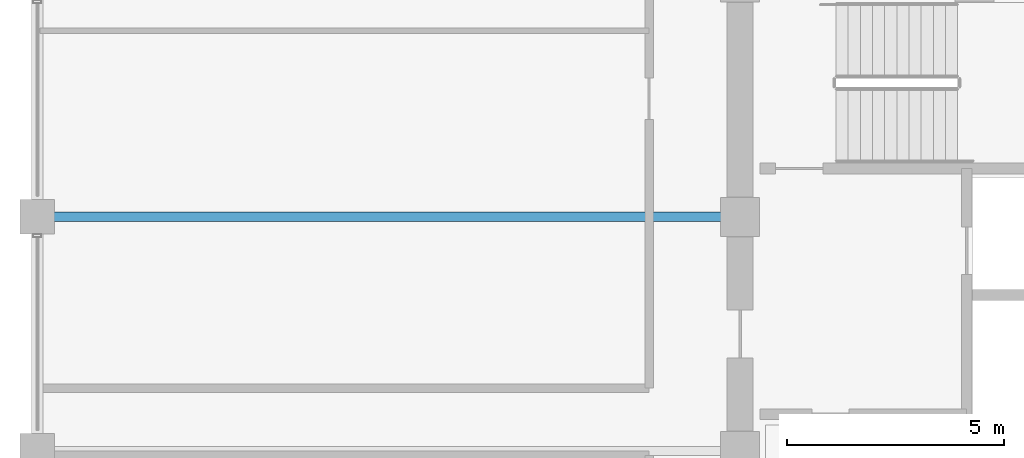
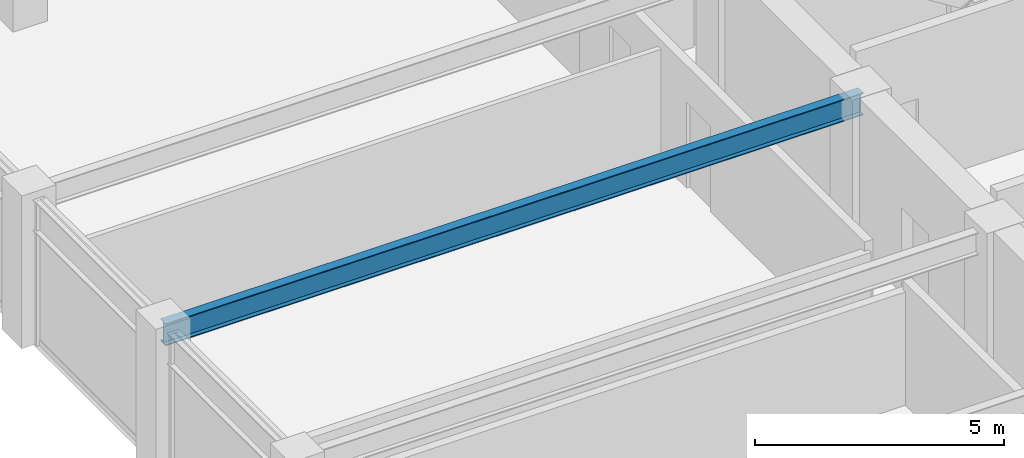
# One storey, part 11 of 32: 1 beam.
"""IFC4 building model written with IfcOpenShell, lengths in metres."""

from ifc_helpers import new_model, si_unit, direction, frame, origin, origin_2d, place, context, subcontext, project, spatial, i_section, extrude, material, material_profile, profile_set, type_object, element, save


model = new_model("IFC4")

# Units and contexts
model_context = context("Model", 3, precision=1e-05, world=origin(), true_north=direction((0.0, 1.0)))
body_context = subcontext(model_context, "Body", "Model", "MODEL_VIEW")
ifc_project = project(units=[si_unit("LENGTHUNIT", "METRE"), si_unit("AREAUNIT", "SQUARE_METRE"), si_unit("VOLUMEUNIT", "CUBIC_METRE"), si_unit("PLANEANGLEUNIT", "RADIAN"), si_unit("MASSUNIT", "GRAM", prefix="KILO")], contexts=[model_context])

# Site, building, storey
site_placement = place(None, origin())
site = spatial("IfcSite", under=ifc_project, at=site_placement, CompositionType="ELEMENT")
building_placement = place(site_placement, origin())
building = spatial("IfcBuilding", under=site, at=building_placement, Name="Surkhivell Harbour Commons", CompositionType="ELEMENT")
storey_placement = place(building_placement, frame((0.0, 0.0, 223.5)))
storey = spatial("IfcBuildingStorey", under=building, at=storey_placement, Name="L58", CompositionType="ELEMENT", Elevation=223.5)

# Beam
ifc_material = material(Name="Steel S355", Category="steel")
ifc_material_profile = material_profile(ifc_material, i_section(OverallWidth=0.2119140625, OverallDepth=0.5439453125, WebThickness=0.0126953125, FlangeThickness=0.021240234375, at=origin_2d()), Name="UB533x210x122")
ifc_profile_set = profile_set([ifc_material_profile], Name="Steel S355")
beam_type = type_object("IfcBeamType", Name="BM-GRD-533A", PredefinedType="BEAM", material=ifc_profile_set)
beam_placement = place(storey_placement, frame((-27.0, 5.39990234375, 3.298095703125), z_axis=(1.0, 0.0, 0.0), x_axis=(0.0, 1.0, 0.0)))
element("IfcBeam", 1, at=beam_placement, inside=storey, type_object=beam_type, Name="L58 Floor Girder (-27.0,5.4)", PredefinedType="BEAM", context=body_context, shape_type="SweptSolid", body=[
    extrude(i_section(OverallWidth=0.2119140625, OverallDepth=0.5439453125, WebThickness=0.0126953125, FlangeThickness=0.021240234375, at=origin_2d()), origin(), (0.0, 0.0, 1.0), 16.199951171875),
])

save(model, "model.ifc")
